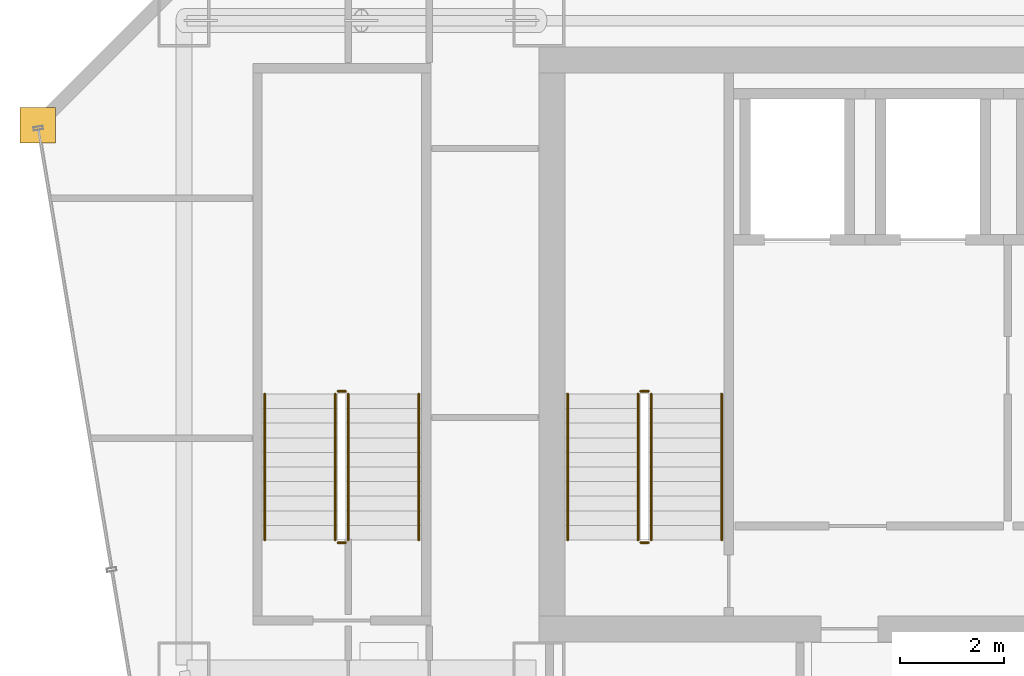
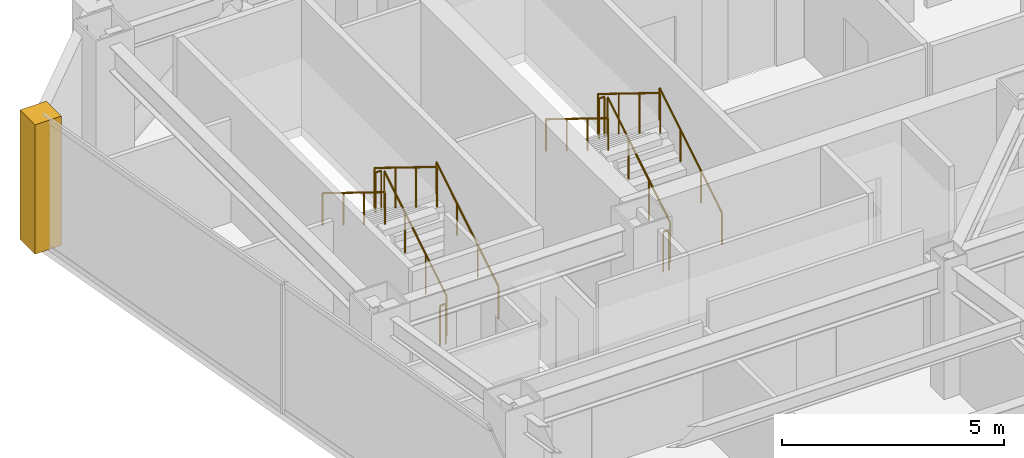
# One storey, part 38 of 40: 12 railings, 1 covering.
"""IFC4 building model written with IfcOpenShell, lengths in metres."""

from ifc_helpers import new_model, si_unit, direction, frame, origin, origin_2d, place, context, subcontext, project, spatial, polyline, circle, outline, extrude, material, layer, layer_set, type_object, element, save


model = new_model("IFC4")

# Units and contexts
model_context = context("Model", 3, precision=1e-05, world=origin(), true_north=direction((0.0, 1.0)))
body_context = subcontext(model_context, "Body", "Model", "MODEL_VIEW")
ifc_project = project(units=[si_unit("LENGTHUNIT", "METRE"), si_unit("AREAUNIT", "SQUARE_METRE"), si_unit("VOLUMEUNIT", "CUBIC_METRE"), si_unit("PLANEANGLEUNIT", "RADIAN"), si_unit("MASSUNIT", "GRAM", prefix="KILO")], contexts=[model_context])

# Site, building, storey
site_placement = place(None, origin())
site = spatial("IfcSite", under=ifc_project, at=site_placement, CompositionType="ELEMENT")
building_placement = place(site_placement, origin())
building = spatial("IfcBuilding", under=site, at=building_placement, Name="Saevonmaru Cultural Tower", CompositionType="ELEMENT")
storey_placement = place(building_placement, frame((0.0, 0.0, 129.60009765625)))
storey = spatial("IfcBuildingStorey", under=building, at=storey_placement, Name="L27", CompositionType="ELEMENT", Elevation=129.60009765625)

# Covering
ifc_material_1 = material(Name="Satin Bronze Anodised Aluminium", Category="aluminium")
ifc_layer = layer(ifc_material_1, 0.679931640625, Name="Satin Bronze Anodised Aluminium")
ifc_layer_set = layer_set([ifc_layer], Name="Satin Bronze Anodised Aluminium")
covering_type = type_object("IfcCoveringType", Name="CV-CORNER-CLAD", PredefinedType="CLADDING", material=ifc_layer_set)
covering_placement = place(storey_placement, origin())
element("IfcCovering", 1, at=covering_placement, inside=storey, type_object=covering_type, Name="L27 Tower Bronze Corner Cladding Pier 12", PredefinedType="CLADDING", context=body_context, shape_type="SweptSolid", body=[
    extrude(outline(polyline([(3.659912109375, 52.4599609375), (4.340087890625, 52.4599609375), (4.340087890625, 53.139892578125), (3.659912109375, 53.139892578125), (3.659912109375, 52.4599609375)])), origin(), (0.0, 0.0, 1.0), 3.5498046875),
])

# Railings
ifc_material_2 = material(Name="Architectural Painted Steel", Category="steel")
railing_type_1 = type_object("IfcRailingType", Name="RL-STAIR-GUARD", PredefinedType="GUARDRAIL", material=ifc_material_2)
railing_1_placement = place(storey_placement, frame((15.75, 44.85009765625, 0.172607421875)))
element("IfcRailing", 2, at=railing_1_placement, inside=storey, type_object=railing_type_1, Name="L27 ST-1 stair guard 1", PredefinedType="GUARDRAIL", context=body_context, shape_type="SweptSolid", body=[
    extrude(circle(Radius=0.02392578125, at=origin_2d()), frame((0.0, 0.0, 1.09619140625), z_axis=(0.0, 0.851069175582, 0.525053576669), x_axis=(-1.0, 0.0, 0.0)), (0.0, 0.0, 1.0), 3.289794921875),
    extrude(circle(Radius=0.02099609375, at=origin_2d()), origin(), (0.0, 0.0, 1.0), 1.072021484375),
    extrude(circle(Radius=0.02099609375, at=origin_2d()), frame((0.0, 0.933349609375, 0.57568359375)), (0.0, 0.0, 1.0), 1.072021484375),
    extrude(circle(Radius=0.02099609375, at=origin_2d()), frame((0.0, 1.866455078125, 1.151611328125)), (0.0, 0.0, 1.0), 1.072021484375),
    extrude(circle(Radius=0.02099609375, at=origin_2d()), frame((0.0, 2.7998046875, 1.727294921875)), (0.0, 0.0, 1.0), 1.072021484375),
])
railing_2_placement = place(storey_placement, frame((15.699951171875, 47.699951171875, 1.89990234375)))
element("IfcRailing", 3, at=railing_2_placement, inside=storey, type_object=railing_type_1, Name="L27 ST-1 stair guard 2", PredefinedType="GUARDRAIL", context=body_context, shape_type="SweptSolid", body=[
    extrude(circle(Radius=0.02392578125, at=origin_2d()), frame((0.0, 0.0, 1.09619140625), z_axis=(-1.0, 0.0, 0.0), x_axis=(0.0, -1.0, 0.0)), (0.0, 0.0, 1.0), 0.14990234375),
    extrude(circle(Radius=0.02099609375, at=origin_2d()), origin(), (0.0, 0.0, 1.0), 1.072021484375),
    extrude(circle(Radius=0.02099609375, at=origin_2d()), frame((-0.14990234375, 0.0, 0.0)), (0.0, 0.0, 1.0), 1.072021484375),
])
railing_3_placement = place(storey_placement, frame((15.5, 47.64990234375, 2.072509765625)))
element("IfcRailing", 4, at=railing_3_placement, inside=storey, type_object=railing_type_1, Name="L27 ST-1 stair guard 3", PredefinedType="GUARDRAIL", context=body_context, shape_type="SweptSolid", body=[
    extrude(circle(Radius=0.02392578125, at=origin_2d()), frame((0.0, 0.0, 1.09619140625), z_axis=(0.0, -0.851069175582, 0.525053576669), x_axis=(1.0, 0.0, 0.0)), (0.0, 0.0, 1.0), 3.289794921875),
    extrude(circle(Radius=0.02099609375, at=origin_2d()), origin(), (0.0, 0.0, 1.0), 1.072021484375),
    extrude(circle(Radius=0.02099609375, at=origin_2d()), frame((0.0, -0.933349609375, 0.57568359375)), (0.0, 0.0, 1.0), 1.072021484375),
    extrude(circle(Radius=0.02099609375, at=origin_2d()), frame((0.0, -1.866455078125, 1.151611328125)), (0.0, 0.0, 1.0), 1.072021484375),
    extrude(circle(Radius=0.02099609375, at=origin_2d()), frame((0.0, -2.7998046875, 1.727294921875)), (0.0, 0.0, 1.0), 1.072021484375),
])
railing_4_placement = place(storey_placement, frame((15.699951171875, 44.800048828125, 0.0)))
element("IfcRailing", 5, at=railing_4_placement, inside=storey, type_object=railing_type_1, Name="L27 ST-1 stair guard 4", PredefinedType="GUARDRAIL", context=body_context, shape_type="SweptSolid", body=[
    extrude(circle(Radius=0.02392578125, at=origin_2d()), frame((0.0, 0.0, 1.09619140625), z_axis=(-1.0, 0.0, 0.0), x_axis=(0.0, -1.0, 0.0)), (0.0, 0.0, 1.0), 0.14990234375),
    extrude(circle(Radius=0.02099609375, at=origin_2d()), origin(), (0.0, 0.0, 1.0), 1.072021484375),
    extrude(circle(Radius=0.02099609375, at=origin_2d()), frame((-0.14990234375, 0.0, 0.0)), (0.0, 0.0, 1.0), 1.072021484375),
])
railing_5_placement = place(storey_placement, frame((9.949951171875, 44.85009765625, 0.172607421875)))
element("IfcRailing", 6, at=railing_5_placement, inside=storey, type_object=railing_type_1, Name="L27 ST-3 stair guard 1", PredefinedType="GUARDRAIL", context=body_context, shape_type="SweptSolid", body=[
    extrude(circle(Radius=0.02392578125, at=origin_2d()), frame((0.0, 0.0, 1.09619140625), z_axis=(0.0, 0.851069175582, 0.525053576669), x_axis=(-1.0, 0.0, 0.0)), (0.0, 0.0, 1.0), 3.289794921875),
    extrude(circle(Radius=0.02099609375, at=origin_2d()), origin(), (0.0, 0.0, 1.0), 1.072021484375),
    extrude(circle(Radius=0.02099609375, at=origin_2d()), frame((0.0, 0.933349609375, 0.57568359375)), (0.0, 0.0, 1.0), 1.072021484375),
    extrude(circle(Radius=0.02099609375, at=origin_2d()), frame((0.0, 1.866455078125, 1.151611328125)), (0.0, 0.0, 1.0), 1.072021484375),
    extrude(circle(Radius=0.02099609375, at=origin_2d()), frame((0.0, 2.7998046875, 1.727294921875)), (0.0, 0.0, 1.0), 1.072021484375),
])
railing_6_placement = place(storey_placement, frame((9.89990234375, 47.699951171875, 1.89990234375)))
element("IfcRailing", 7, at=railing_6_placement, inside=storey, type_object=railing_type_1, Name="L27 ST-3 stair guard 2", PredefinedType="GUARDRAIL", context=body_context, shape_type="SweptSolid", body=[
    extrude(circle(Radius=0.02392578125, at=origin_2d()), frame((0.0, 0.0, 1.09619140625), z_axis=(-1.0, 0.0, 0.0), x_axis=(0.0, -1.0, 0.0)), (0.0, 0.0, 1.0), 0.14990234375),
    extrude(circle(Radius=0.02099609375, at=origin_2d()), origin(), (0.0, 0.0, 1.0), 1.072021484375),
    extrude(circle(Radius=0.02099609375, at=origin_2d()), frame((-0.14990234375, 0.0, 0.0)), (0.0, 0.0, 1.0), 1.072021484375),
])
railing_7_placement = place(storey_placement, frame((9.699951171875, 47.64990234375, 2.072509765625)))
element("IfcRailing", 8, at=railing_7_placement, inside=storey, type_object=railing_type_1, Name="L27 ST-3 stair guard 3", PredefinedType="GUARDRAIL", context=body_context, shape_type="SweptSolid", body=[
    extrude(circle(Radius=0.02392578125, at=origin_2d()), frame((0.0, 0.0, 1.09619140625), z_axis=(0.0, -0.851069175582, 0.525053576669), x_axis=(1.0, 0.0, 0.0)), (0.0, 0.0, 1.0), 3.289794921875),
    extrude(circle(Radius=0.02099609375, at=origin_2d()), origin(), (0.0, 0.0, 1.0), 1.072021484375),
    extrude(circle(Radius=0.02099609375, at=origin_2d()), frame((0.0, -0.933349609375, 0.57568359375)), (0.0, 0.0, 1.0), 1.072021484375),
    extrude(circle(Radius=0.02099609375, at=origin_2d()), frame((0.0, -1.866455078125, 1.151611328125)), (0.0, 0.0, 1.0), 1.072021484375),
    extrude(circle(Radius=0.02099609375, at=origin_2d()), frame((0.0, -2.7998046875, 1.727294921875)), (0.0, 0.0, 1.0), 1.072021484375),
])
railing_8_placement = place(storey_placement, frame((9.89990234375, 44.800048828125, 0.0)))
element("IfcRailing", 9, at=railing_8_placement, inside=storey, type_object=railing_type_1, Name="L27 ST-3 stair guard 4", PredefinedType="GUARDRAIL", context=body_context, shape_type="SweptSolid", body=[
    extrude(circle(Radius=0.02392578125, at=origin_2d()), frame((0.0, 0.0, 1.09619140625), z_axis=(-1.0, 0.0, 0.0), x_axis=(0.0, -1.0, 0.0)), (0.0, 0.0, 1.0), 0.14990234375),
    extrude(circle(Radius=0.02099609375, at=origin_2d()), origin(), (0.0, 0.0, 1.0), 1.072021484375),
    extrude(circle(Radius=0.02099609375, at=origin_2d()), frame((-0.14990234375, 0.0, 0.0)), (0.0, 0.0, 1.0), 1.072021484375),
])
railing_type_2 = type_object("IfcRailingType", Name="RL-STAIR-HANDRAIL", PredefinedType="HANDRAIL", material=ifc_material_1)
railing_9_placement = place(storey_placement, frame((17.10009765625, 44.85009765625, 0.172607421875)))
element("IfcRailing", 10, at=railing_9_placement, inside=storey, type_object=railing_type_2, Name="L27 ST-1 stair handrail 1", PredefinedType="HANDRAIL", context=body_context, shape_type="SweptSolid", body=[
    extrude(circle(Radius=0.02392578125, at=origin_2d()), frame((0.0, 0.0, 0.8759765625), z_axis=(0.0, 0.851069175582, 0.525053576669), x_axis=(-1.0, 0.0, 0.0)), (0.0, 0.0, 1.0), 3.289794921875),
    extrude(circle(Radius=0.02099609375, at=origin_2d()), origin(), (0.0, 0.0, 1.0), 0.851806640625),
    extrude(circle(Radius=0.02099609375, at=origin_2d()), frame((0.0, 0.933349609375, 0.57568359375)), (0.0, 0.0, 1.0), 0.851806640625),
    extrude(circle(Radius=0.02099609375, at=origin_2d()), frame((0.0, 1.866455078125, 1.151611328125)), (0.0, 0.0, 1.0), 0.851806640625),
    extrude(circle(Radius=0.02099609375, at=origin_2d()), frame((0.0, 2.7998046875, 1.727294921875)), (0.0, 0.0, 1.0), 0.851806640625),
])
railing_10_placement = place(storey_placement, frame((14.14990234375, 47.64990234375, 2.072509765625)))
element("IfcRailing", 11, at=railing_10_placement, inside=storey, type_object=railing_type_2, Name="L27 ST-1 stair handrail 2", PredefinedType="HANDRAIL", context=body_context, shape_type="SweptSolid", body=[
    extrude(circle(Radius=0.02392578125, at=origin_2d()), frame((0.0, 0.0, 0.8759765625), z_axis=(0.0, -0.851069175582, 0.525053576669), x_axis=(1.0, 0.0, 0.0)), (0.0, 0.0, 1.0), 3.289794921875),
    extrude(circle(Radius=0.02099609375, at=origin_2d()), origin(), (0.0, 0.0, 1.0), 0.851806640625),
    extrude(circle(Radius=0.02099609375, at=origin_2d()), frame((0.0, -0.933349609375, 0.57568359375)), (0.0, 0.0, 1.0), 0.851806640625),
    extrude(circle(Radius=0.02099609375, at=origin_2d()), frame((0.0, -1.866455078125, 1.151611328125)), (0.0, 0.0, 1.0), 0.851806640625),
    extrude(circle(Radius=0.02099609375, at=origin_2d()), frame((0.0, -2.7998046875, 1.727294921875)), (0.0, 0.0, 1.0), 0.851806640625),
])
railing_11_placement = place(storey_placement, frame((11.300048828125, 44.85009765625, 0.172607421875)))
element("IfcRailing", 12, at=railing_11_placement, inside=storey, type_object=railing_type_2, Name="L27 ST-3 stair handrail 1", PredefinedType="HANDRAIL", context=body_context, shape_type="SweptSolid", body=[
    extrude(circle(Radius=0.02392578125, at=origin_2d()), frame((0.0, 0.0, 0.8759765625), z_axis=(0.0, 0.851069175582, 0.525053576669), x_axis=(-1.0, 0.0, 0.0)), (0.0, 0.0, 1.0), 3.289794921875),
    extrude(circle(Radius=0.02099609375, at=origin_2d()), origin(), (0.0, 0.0, 1.0), 0.851806640625),
    extrude(circle(Radius=0.02099609375, at=origin_2d()), frame((0.0, 0.933349609375, 0.57568359375)), (0.0, 0.0, 1.0), 0.851806640625),
    extrude(circle(Radius=0.02099609375, at=origin_2d()), frame((0.0, 1.866455078125, 1.151611328125)), (0.0, 0.0, 1.0), 0.851806640625),
    extrude(circle(Radius=0.02099609375, at=origin_2d()), frame((0.0, 2.7998046875, 1.727294921875)), (0.0, 0.0, 1.0), 0.851806640625),
])
railing_12_placement = place(storey_placement, frame((8.35009765625, 47.64990234375, 2.072509765625)))
element("IfcRailing", 13, at=railing_12_placement, inside=storey, type_object=railing_type_2, Name="L27 ST-3 stair handrail 2", PredefinedType="HANDRAIL", context=body_context, shape_type="SweptSolid", body=[
    extrude(circle(Radius=0.02392578125, at=origin_2d()), frame((0.0, 0.0, 0.8759765625), z_axis=(0.0, -0.851069175582, 0.525053576669), x_axis=(1.0, 0.0, 0.0)), (0.0, 0.0, 1.0), 3.289794921875),
    extrude(circle(Radius=0.02099609375, at=origin_2d()), origin(), (0.0, 0.0, 1.0), 0.851806640625),
    extrude(circle(Radius=0.02099609375, at=origin_2d()), frame((0.0, -0.933349609375, 0.57568359375)), (0.0, 0.0, 1.0), 0.851806640625),
    extrude(circle(Radius=0.02099609375, at=origin_2d()), frame((0.0, -1.866455078125, 1.151611328125)), (0.0, 0.0, 1.0), 0.851806640625),
    extrude(circle(Radius=0.02099609375, at=origin_2d()), frame((0.0, -2.7998046875, 1.727294921875)), (0.0, 0.0, 1.0), 0.851806640625),
])

save(model, "model.ifc")
